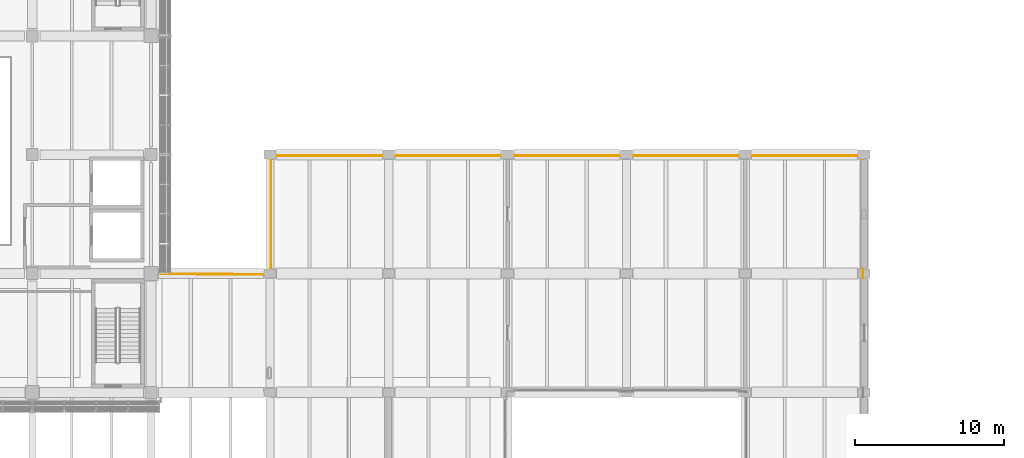
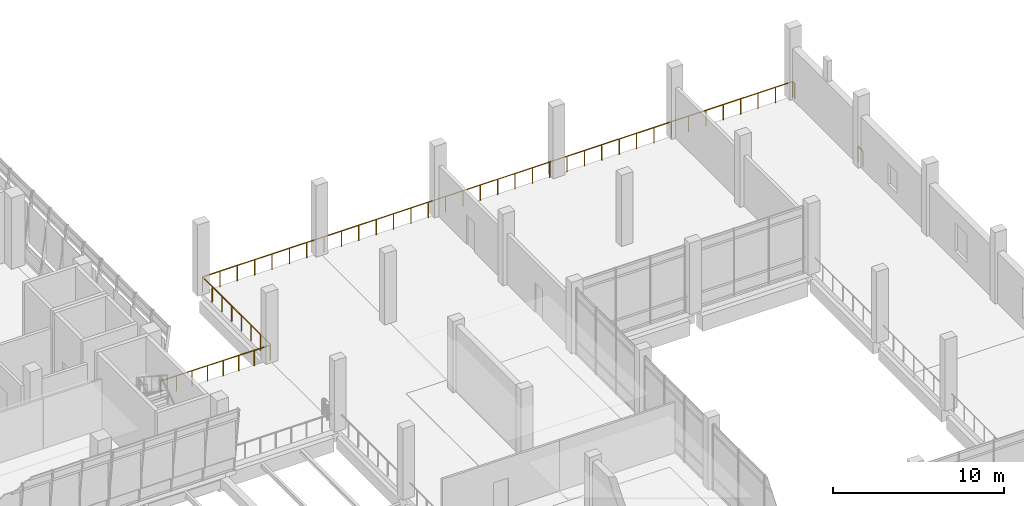
# One storey, part 61 of 61: 2 railings.
"""IFC4 building model written with IfcOpenShell, lengths in metres."""

from ifc_helpers import new_model, si_unit, direction, frame, origin, origin_2d, place, context, subcontext, project, spatial, circle, extrude, material, type_object, element, save


model = new_model("IFC4")

# Units and contexts
model_context = context("Model", 3, precision=1e-05, world=origin(), true_north=direction((0.0, 1.0)))
body_context = subcontext(model_context, "Body", "Model", "MODEL_VIEW")
ifc_project = project(units=[si_unit("LENGTHUNIT", "METRE"), si_unit("AREAUNIT", "SQUARE_METRE"), si_unit("VOLUMEUNIT", "CUBIC_METRE"), si_unit("PLANEANGLEUNIT", "RADIAN"), si_unit("MASSUNIT", "GRAM", prefix="KILO")], contexts=[model_context])

# Site, building, storey
site_placement = place(None, origin())
site = spatial("IfcSite", under=ifc_project, at=site_placement, CompositionType="ELEMENT")
building_placement = place(site_placement, origin())
building = spatial("IfcBuilding", under=site, at=building_placement, Name="Pecanmere Concourse Central Library", CompositionType="ELEMENT")
storey_placement = place(building_placement, frame((0.0, 0.0, 5.39990234375)))
storey = spatial("IfcBuildingStorey", under=building, at=storey_placement, Name="L02", CompositionType="ELEMENT", Elevation=5.39990234375)

# Railings
ifc_material = material(Name="Architectural anodized bronze")
railing_type = type_object("IfcRailingType", Name="RAIL_ATRIUM_BAL", PredefinedType="BALUSTRADE", material=ifc_material)
railing_1_placement = place(storey_placement, frame((104.66015625, 97.971923828125, 0.0)))
element("IfcRailing", 1, at=railing_1_placement, inside=storey, type_object=railing_type, Name="Deck Edge Protective Balustrade L02-049", PredefinedType="BALUSTRADE", context=body_context, shape_type="SweptSolid", body=[
    extrude(circle(Radius=0.02392578125, at=origin_2d()), frame((0.0, 0.0, 1.09619140625), z_axis=(0.999983999278, -0.005656959165, 0.0), x_axis=(0.005656959165, 0.999983999278, 0.0)), (0.0, 0.0, 1.0), 7.336669921875),
    extrude(circle(Radius=0.02392578125, at=origin_2d()), frame((7.336669921875, -0.04150390625, 1.09619140625), z_axis=(0.806311430369, 0.591491231767, 0.0), x_axis=(-0.591491231767, 0.806311430369, 0.0)), (0.0, 0.0, 1.0), 0.0830078125),
    extrude(circle(Radius=0.02392578125, at=origin_2d()), frame((7.403564453125, 0.007568359375, 1.09619140625), z_axis=(0.000798427457, 0.999999681257, 0.0), x_axis=(-0.999999681257, 0.000798427457, 0.0)), (0.0, 0.0, 1.0), 7.9501953125),
    extrude(circle(Radius=0.02392578125, at=origin_2d()), frame((7.409912109375, 7.957763671875, 1.09619140625), z_axis=(0.999999999981, 6.125011e-06, 0.0), x_axis=(-6.125011e-06, 0.999999999981, 0.0)), (0.0, 0.0, 1.0), 39.859619140625),
    extrude(circle(Radius=0.02392578125, at=origin_2d()), frame((47.26953125, 7.9580078125, 1.09619140625), z_axis=(0.0, -1.0, 0.0), x_axis=(1.0, 0.0, 0.0)), (0.0, 0.0, 1.0), 0.224853515625),
    extrude(circle(Radius=0.02099609375, at=origin_2d()), origin(), (0.0, 0.0, 1.0), 1.072021484375),
    extrude(circle(Radius=0.02099609375, at=origin_2d()), frame((1.048095703125, -0.005859375, 0.0)), (0.0, 0.0, 1.0), 1.072021484375),
    extrude(circle(Radius=0.02099609375, at=origin_2d()), frame((2.09619140625, -0.011962890625, 0.0)), (0.0, 0.0, 1.0), 1.072021484375),
    extrude(circle(Radius=0.02099609375, at=origin_2d()), frame((3.144287109375, -0.017822265625, 0.0)), (0.0, 0.0, 1.0), 1.072021484375),
    extrude(circle(Radius=0.02099609375, at=origin_2d()), frame((4.1923828125, -0.023681640625, 0.0)), (0.0, 0.0, 1.0), 1.072021484375),
    extrude(circle(Radius=0.02099609375, at=origin_2d()), frame((5.240478515625, -0.029541015625, 0.0)), (0.0, 0.0, 1.0), 1.072021484375),
    extrude(circle(Radius=0.02099609375, at=origin_2d()), frame((6.28857421875, -0.03564453125, 0.0)), (0.0, 0.0, 1.0), 1.072021484375),
    extrude(circle(Radius=0.02099609375, at=origin_2d()), frame((7.336669921875, -0.04150390625, 0.0)), (0.0, 0.0, 1.0), 1.072021484375),
    extrude(circle(Radius=0.02099609375, at=origin_2d()), frame((7.403564453125, 0.007568359375, 0.0)), (0.0, 0.0, 1.0), 1.072021484375),
    extrude(circle(Radius=0.02099609375, at=origin_2d()), frame((7.404541015625, 1.143310546875, 0.0)), (0.0, 0.0, 1.0), 1.072021484375),
    extrude(circle(Radius=0.02099609375, at=origin_2d()), frame((7.4052734375, 2.279052734375, 0.0)), (0.0, 0.0, 1.0), 1.072021484375),
    extrude(circle(Radius=0.02099609375, at=origin_2d()), frame((7.40625, 3.414794921875, 0.0)), (0.0, 0.0, 1.0), 1.072021484375),
    extrude(circle(Radius=0.02099609375, at=origin_2d()), frame((7.4072265625, 4.550537109375, 0.0)), (0.0, 0.0, 1.0), 1.072021484375),
    extrude(circle(Radius=0.02099609375, at=origin_2d()), frame((7.408203125, 5.686279296875, 0.0)), (0.0, 0.0, 1.0), 1.072021484375),
    extrude(circle(Radius=0.02099609375, at=origin_2d()), frame((7.408935546875, 6.822021484375, 0.0)), (0.0, 0.0, 1.0), 1.072021484375),
    extrude(circle(Radius=0.02099609375, at=origin_2d()), frame((7.409912109375, 7.957763671875, 0.0)), (0.0, 0.0, 1.0), 1.072021484375),
    extrude(circle(Radius=0.02099609375, at=origin_2d()), frame((8.582275390625, 7.957763671875, 0.0)), (0.0, 0.0, 1.0), 1.072021484375),
    extrude(circle(Radius=0.02099609375, at=origin_2d()), frame((9.754638671875, 7.957763671875, 0.0)), (0.0, 0.0, 1.0), 1.072021484375),
    extrude(circle(Radius=0.02099609375, at=origin_2d()), frame((10.927001953125, 7.957763671875, 0.0)), (0.0, 0.0, 1.0), 1.072021484375),
    extrude(circle(Radius=0.02099609375, at=origin_2d()), frame((12.099365234375, 7.957763671875, 0.0)), (0.0, 0.0, 1.0), 1.072021484375),
    extrude(circle(Radius=0.02099609375, at=origin_2d()), frame((13.271728515625, 7.957763671875, 0.0)), (0.0, 0.0, 1.0), 1.072021484375),
    extrude(circle(Radius=0.02099609375, at=origin_2d()), frame((14.44384765625, 7.957763671875, 0.0)), (0.0, 0.0, 1.0), 1.072021484375),
    extrude(circle(Radius=0.02099609375, at=origin_2d()), frame((15.6162109375, 7.957763671875, 0.0)), (0.0, 0.0, 1.0), 1.072021484375),
    extrude(circle(Radius=0.02099609375, at=origin_2d()), frame((16.78857421875, 7.957763671875, 0.0)), (0.0, 0.0, 1.0), 1.072021484375),
    extrude(circle(Radius=0.02099609375, at=origin_2d()), frame((17.9609375, 7.957763671875, 0.0)), (0.0, 0.0, 1.0), 1.072021484375),
    extrude(circle(Radius=0.02099609375, at=origin_2d()), frame((19.13330078125, 7.957763671875, 0.0)), (0.0, 0.0, 1.0), 1.072021484375),
    extrude(circle(Radius=0.02099609375, at=origin_2d()), frame((20.3056640625, 7.957763671875, 0.0)), (0.0, 0.0, 1.0), 1.072021484375),
    extrude(circle(Radius=0.02099609375, at=origin_2d()), frame((21.47802734375, 7.957763671875, 0.0)), (0.0, 0.0, 1.0), 1.072021484375),
    extrude(circle(Radius=0.02099609375, at=origin_2d()), frame((22.650390625, 7.957763671875, 0.0)), (0.0, 0.0, 1.0), 1.072021484375),
    extrude(circle(Radius=0.02099609375, at=origin_2d()), frame((23.82275390625, 7.957763671875, 0.0)), (0.0, 0.0, 1.0), 1.072021484375),
    extrude(circle(Radius=0.02099609375, at=origin_2d()), frame((24.9951171875, 7.957763671875, 0.0)), (0.0, 0.0, 1.0), 1.072021484375),
    extrude(circle(Radius=0.02099609375, at=origin_2d()), frame((26.16748046875, 7.957763671875, 0.0)), (0.0, 0.0, 1.0), 1.072021484375),
    extrude(circle(Radius=0.02099609375, at=origin_2d()), frame((27.33984375, 7.9580078125, 0.0)), (0.0, 0.0, 1.0), 1.072021484375),
    extrude(circle(Radius=0.02099609375, at=origin_2d()), frame((28.511962890625, 7.9580078125, 0.0)), (0.0, 0.0, 1.0), 1.072021484375),
    extrude(circle(Radius=0.02099609375, at=origin_2d()), frame((29.684326171875, 7.9580078125, 0.0)), (0.0, 0.0, 1.0), 1.072021484375),
    extrude(circle(Radius=0.02099609375, at=origin_2d()), frame((30.856689453125, 7.9580078125, 0.0)), (0.0, 0.0, 1.0), 1.072021484375),
    extrude(circle(Radius=0.02099609375, at=origin_2d()), frame((32.029052734375, 7.9580078125, 0.0)), (0.0, 0.0, 1.0), 1.072021484375),
    extrude(circle(Radius=0.02099609375, at=origin_2d()), frame((33.201416015625, 7.9580078125, 0.0)), (0.0, 0.0, 1.0), 1.072021484375),
    extrude(circle(Radius=0.02099609375, at=origin_2d()), frame((34.373779296875, 7.9580078125, 0.0)), (0.0, 0.0, 1.0), 1.072021484375),
    extrude(circle(Radius=0.02099609375, at=origin_2d()), frame((35.546142578125, 7.9580078125, 0.0)), (0.0, 0.0, 1.0), 1.072021484375),
    extrude(circle(Radius=0.02099609375, at=origin_2d()), frame((36.718505859375, 7.9580078125, 0.0)), (0.0, 0.0, 1.0), 1.072021484375),
    extrude(circle(Radius=0.02099609375, at=origin_2d()), frame((37.890869140625, 7.9580078125, 0.0)), (0.0, 0.0, 1.0), 1.072021484375),
    extrude(circle(Radius=0.02099609375, at=origin_2d()), frame((39.063232421875, 7.9580078125, 0.0)), (0.0, 0.0, 1.0), 1.072021484375),
    extrude(circle(Radius=0.02099609375, at=origin_2d()), frame((40.235595703125, 7.9580078125, 0.0)), (0.0, 0.0, 1.0), 1.072021484375),
    extrude(circle(Radius=0.02099609375, at=origin_2d()), frame((41.40771484375, 7.9580078125, 0.0)), (0.0, 0.0, 1.0), 1.072021484375),
    extrude(circle(Radius=0.02099609375, at=origin_2d()), frame((42.580078125, 7.9580078125, 0.0)), (0.0, 0.0, 1.0), 1.072021484375),
    extrude(circle(Radius=0.02099609375, at=origin_2d()), frame((43.75244140625, 7.9580078125, 0.0)), (0.0, 0.0, 1.0), 1.072021484375),
    extrude(circle(Radius=0.02099609375, at=origin_2d()), frame((44.9248046875, 7.9580078125, 0.0)), (0.0, 0.0, 1.0), 1.072021484375),
    extrude(circle(Radius=0.02099609375, at=origin_2d()), frame((46.09716796875, 7.9580078125, 0.0)), (0.0, 0.0, 1.0), 1.072021484375),
    extrude(circle(Radius=0.02099609375, at=origin_2d()), frame((47.26953125, 7.9580078125, 0.0)), (0.0, 0.0, 1.0), 1.072021484375),
    extrude(circle(Radius=0.02099609375, at=origin_2d()), frame((47.26953125, 7.733154296875, 0.0)), (0.0, 0.0, 1.0), 1.072021484375),
])
railing_2_placement = place(storey_placement, frame((151.9296875, 98.294921875, 0.0)))
element("IfcRailing", 2, at=railing_2_placement, inside=storey, type_object=railing_type, Name="Deck Edge Protective Balustrade L02-050", PredefinedType="BALUSTRADE", context=body_context, shape_type="SweptSolid", body=[
    extrude(circle(Radius=0.02392578125, at=origin_2d()), frame((0.0, 0.0, 1.09619140625), z_axis=(0.0, -1.0, 0.0), x_axis=(1.0, 0.0, 0.0)), (0.0, 0.0, 1.0), 0.58984375),
    extrude(circle(Radius=0.02099609375, at=origin_2d()), origin(), (0.0, 0.0, 1.0), 1.072021484375),
    extrude(circle(Radius=0.02099609375, at=origin_2d()), frame((0.0, -0.58984375, 0.0)), (0.0, 0.0, 1.0), 1.072021484375),
])

save(model, "model.ifc")
